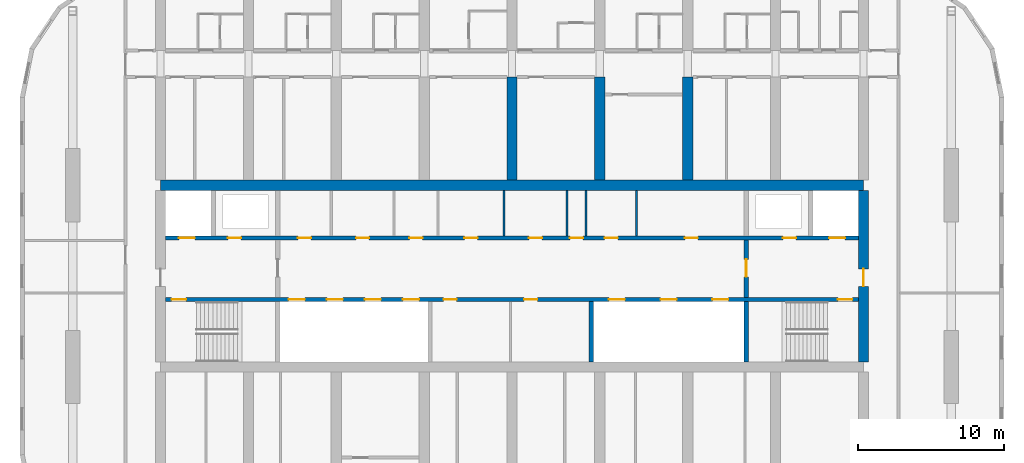
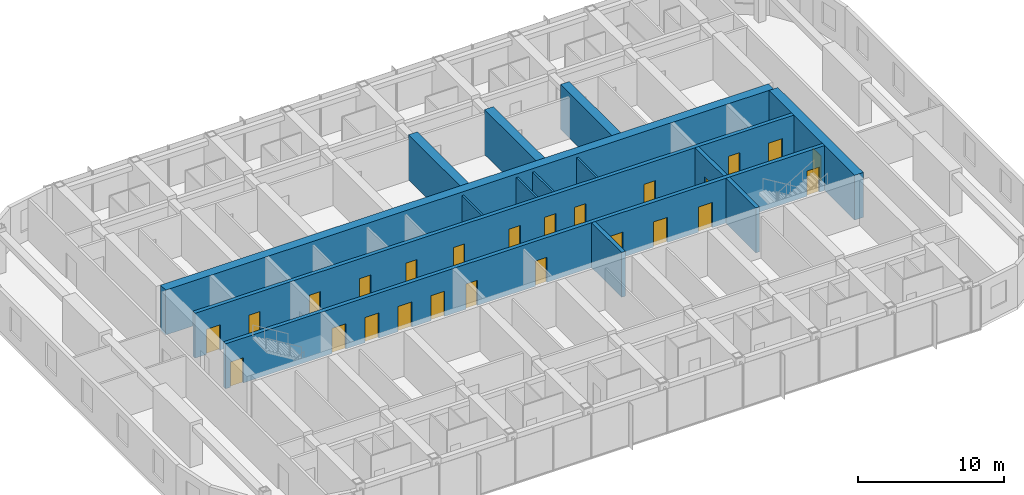
# One storey, part 14 of 23: 25 doors, 14 walls, 25 openings.
"""IFC4 building model written with IfcOpenShell, lengths in metres."""

from ifc_helpers import new_model, si_unit, direction, frame, frame_2d, origin, place, context, subcontext, project, spatial, rectangle, extrude, material, layer, layer_set, type_object, element, fill, save


model = new_model("IFC4")

# Units and contexts
model_context = context("Model", 3, precision=1e-05, world=origin(), true_north=direction((0.0, 1.0)))
body_context = subcontext(model_context, "Body", "Model", "MODEL_VIEW")
ifc_project = project(units=[si_unit("LENGTHUNIT", "METRE"), si_unit("AREAUNIT", "SQUARE_METRE"), si_unit("VOLUMEUNIT", "CUBIC_METRE"), si_unit("PLANEANGLEUNIT", "RADIAN"), si_unit("MASSUNIT", "GRAM", prefix="KILO")], contexts=[model_context])

# Site, building, storey
site_placement = place(None, origin())
site = spatial("IfcSite", under=ifc_project, at=site_placement, CompositionType="ELEMENT")
building_placement = place(site_placement, origin())
building = spatial("IfcBuilding", under=site, at=building_placement, Name="Orbita Commons", CompositionType="ELEMENT")
storey_placement = place(building_placement, frame((0.0, 0.0, 254.050048828125)))
storey = spatial("IfcBuildingStorey", under=building, at=storey_placement, Name="L63", CompositionType="ELEMENT", Elevation=254.050048828125)

# Wall, openings, doors
ifc_material_1 = material(Name="Concrete C50/60", Category="concrete")
ifc_layer_1 = layer(ifc_material_1, 0.300048828125)
ifc_layer_set_1 = layer_set([ifc_layer_1], Name="Concrete C50/60")
wall_type_1 = type_object("IfcWallType", Name="Core inner wall 300 C50/60", PredefinedType="SHEAR", material=ifc_layer_set_1)
wall_1_placement = place(storey_placement, frame((18.35009765625, 30.39990234375, 0.0), z_axis=(0.0, 0.0, 1.0), x_axis=(1.0, 0.0, 0.0)))
wall_1 = element("IfcWall", 1, at=wall_1_placement, inside=storey, type_object=wall_type_1, Name="Lobby wall south L63", PredefinedType="SHEAR", context=body_context, shape_type="SweptSolid", body=[
    extrude(rectangle(XDim=47.2998046875, YDim=0.300048828125, at=frame_2d((23.64990234375, 0.0))), origin(), (0.0, 0.0, 1.0), 3.75),
])
opening_1_placement = place(wall_1_placement, frame((0.39990234375, 0.0, 0.0)))
opening_1 = element("IfcOpeningElement", 2, at=opening_1_placement, cuts=wall_1, Name="Opening D02", PredefinedType="OPENING", context=body_context, shape_type="SweptSolid", body=[
    extrude(rectangle(XDim=1.0, YDim=2.10009765625, at=frame_2d((0.5, 1.050048828125))), frame((0.0, 0.159912109375, 0.0), z_axis=(0.0, -1.0, 0.0), x_axis=(1.0, 0.0, 0.0)), (0.0, 0.0, 1.0), 0.320068359375),
])
opening_2_placement = place(wall_1_placement, frame((45.89990234375, 0.0, 0.0)))
opening_2 = element("IfcOpeningElement", 3, at=opening_2_placement, cuts=wall_1, Name="Opening D02", PredefinedType="OPENING", context=body_context, shape_type="SweptSolid", body=[
    extrude(rectangle(XDim=1.0, YDim=2.10009765625, at=frame_2d((0.5, 1.050048828125))), frame((0.0, 0.159912109375, 0.0), z_axis=(0.0, -1.0, 0.0), x_axis=(1.0, 0.0, 0.0)), (0.0, 0.0, 1.0), 0.320068359375),
])
opening_3_placement = place(wall_1_placement, frame((8.39990234375, 0.0, 0.0)))
opening_3 = element("IfcOpeningElement", 4, at=opening_3_placement, cuts=wall_1, Name="Opening LD02", PredefinedType="OPENING", context=body_context, shape_type="SweptSolid", body=[
    extrude(rectangle(XDim=1.10009765625, YDim=2.10009765625, at=frame_2d((0.550048828125, 1.050048828125))), frame((0.0, 0.159912109375, 0.0), z_axis=(0.0, -1.0, 0.0), x_axis=(1.0, 0.0, 0.0)), (0.0, 0.0, 1.0), 0.320068359375),
])
opening_4_placement = place(wall_1_placement, frame((11.0, 0.0, 0.0)))
opening_4 = element("IfcOpeningElement", 5, at=opening_4_placement, cuts=wall_1, Name="Opening LD02", PredefinedType="OPENING", context=body_context, shape_type="SweptSolid", body=[
    extrude(rectangle(XDim=1.10009765625, YDim=2.10009765625, at=frame_2d((0.550048828125, 1.050048828125))), frame((0.0, 0.159912109375, 0.0), z_axis=(0.0, -1.0, 0.0), x_axis=(1.0, 0.0, 0.0)), (0.0, 0.0, 1.0), 0.320068359375),
])
opening_5_placement = place(wall_1_placement, frame((13.60009765625, 0.0, 0.0)))
opening_5 = element("IfcOpeningElement", 6, at=opening_5_placement, cuts=wall_1, Name="Opening LD02", PredefinedType="OPENING", context=body_context, shape_type="SweptSolid", body=[
    extrude(rectangle(XDim=1.10009765625, YDim=2.10009765625, at=frame_2d((0.550048828125, 1.050048828125))), frame((0.0, 0.159912109375, 0.0), z_axis=(0.0, -1.0, 0.0), x_axis=(1.0, 0.0, 0.0)), (0.0, 0.0, 1.0), 0.320068359375),
])
opening_6_placement = place(wall_1_placement, frame((16.199951171875, 0.0, 0.0)))
opening_6 = element("IfcOpeningElement", 7, at=opening_6_placement, cuts=wall_1, Name="Opening LD02", PredefinedType="OPENING", context=body_context, shape_type="SweptSolid", body=[
    extrude(rectangle(XDim=1.10009765625, YDim=2.10009765625, at=frame_2d((0.550048828125, 1.050048828125))), frame((0.0, 0.159912109375, 0.0), z_axis=(0.0, -1.0, 0.0), x_axis=(1.0, 0.0, 0.0)), (0.0, 0.0, 1.0), 0.320068359375),
])
opening_7_placement = place(wall_1_placement, frame((18.97509765625, 0.0, 0.0)))
opening_7 = element("IfcOpeningElement", 8, at=opening_7_placement, cuts=wall_1, Name="Opening D05", PredefinedType="OPENING", context=body_context, shape_type="SweptSolid", body=[
    extrude(rectangle(XDim=0.89990234375, YDim=2.10009765625, at=frame_2d((0.449951171875, 1.050048828125))), frame((0.0, 0.159912109375, 0.0), z_axis=(0.0, -1.0, 0.0), x_axis=(1.0, 0.0, 0.0)), (0.0, 0.0, 1.0), 0.320068359375),
])
opening_8_placement = place(wall_1_placement, frame((24.47509765625, 0.0, 0.0)))
opening_8 = element("IfcOpeningElement", 9, at=opening_8_placement, cuts=wall_1, Name="Opening D05", PredefinedType="OPENING", context=body_context, shape_type="SweptSolid", body=[
    extrude(rectangle(XDim=0.89990234375, YDim=2.10009765625, at=frame_2d((0.449951171875, 1.050048828125))), frame((0.0, 0.159912109375, 0.0), z_axis=(0.0, -1.0, 0.0), x_axis=(1.0, 0.0, 0.0)), (0.0, 0.0, 1.0), 0.320068359375),
])
opening_9_placement = place(wall_1_placement, frame((30.2666015625, 0.0, 0.0)))
opening_9 = element("IfcOpeningElement", 10, at=opening_9_placement, cuts=wall_1, Name="Opening LD02", PredefinedType="OPENING", context=body_context, shape_type="SweptSolid", body=[
    extrude(rectangle(XDim=1.10009765625, YDim=2.10009765625, at=frame_2d((0.550048828125, 1.050048828125))), frame((0.0, 0.159912109375, 0.0), z_axis=(0.0, -1.0, 0.0), x_axis=(1.0, 0.0, 0.0)), (0.0, 0.0, 1.0), 0.320068359375),
])
opening_10_placement = place(wall_1_placement, frame((33.800048828125, 0.0, 0.0)))
opening_10 = element("IfcOpeningElement", 11, at=opening_10_placement, cuts=wall_1, Name="Opening LD02", PredefinedType="OPENING", context=body_context, shape_type="SweptSolid", body=[
    extrude(rectangle(XDim=1.10009765625, YDim=2.10009765625, at=frame_2d((0.550048828125, 1.050048828125))), frame((0.0, 0.159912109375, 0.0), z_axis=(0.0, -1.0, 0.0), x_axis=(1.0, 0.0, 0.0)), (0.0, 0.0, 1.0), 0.320068359375),
])
opening_11_placement = place(wall_1_placement, frame((37.333251953125, 0.0, 0.0)))
opening_11 = element("IfcOpeningElement", 12, at=opening_11_placement, cuts=wall_1, Name="Opening LD02", PredefinedType="OPENING", context=body_context, shape_type="SweptSolid", body=[
    extrude(rectangle(XDim=1.10009765625, YDim=2.10009765625, at=frame_2d((0.550048828125, 1.050048828125))), frame((0.0, 0.159912109375, 0.0), z_axis=(0.0, -1.0, 0.0), x_axis=(1.0, 0.0, 0.0)), (0.0, 0.0, 1.0), 0.320068359375),
])
ifc_material_2 = material(Name="Steel-faced fire door leaf", Category="steel")
door_type_1 = type_object("IfcDoorType", Name="Fire door 90 min 1000x2100", OperationType="SINGLE_SWING_LEFT", PredefinedType="DOOR", material=ifc_material_2)
door_1_placement = place(opening_1_placement, origin())
door_1 = element("IfcDoor", 13, at=door_1_placement, inside=storey, type_object=door_type_1, Name="Stair S1 door", OperationType="SINGLE_SWING_LEFT", OverallHeight=2.10009765625, OverallWidth=1.0, PredefinedType="DOOR", context=body_context, shape_type="SweptSolid", body=[
    extrude(rectangle(XDim=1.0, YDim=2.10009765625, at=frame_2d((0.5, 1.050048828125))), frame((0.0, 0.02490234375, 0.0), z_axis=(0.0, -1.0, 0.0), x_axis=(1.0, 0.0, 0.0)), (0.0, 0.0, 1.0), 0.050048828125),
])
fill(opening_1, door_1)
door_2_placement = place(opening_2_placement, origin())
door_2 = element("IfcDoor", 14, at=door_2_placement, inside=storey, type_object=door_type_1, Name="Stair S2 door", OperationType="SINGLE_SWING_LEFT", OverallHeight=2.10009765625, OverallWidth=1.0, PredefinedType="DOOR", context=body_context, shape_type="SweptSolid", body=[
    extrude(rectangle(XDim=1.0, YDim=2.10009765625, at=frame_2d((0.5, 1.050048828125))), frame((0.0, 0.02490234375, 0.0), z_axis=(0.0, -1.0, 0.0), x_axis=(1.0, 0.0, 0.0)), (0.0, 0.0, 1.0), 0.050048828125),
])
fill(opening_2, door_2)
ifc_material_3 = material(Name="Steel-faced fire door leaf", Category="steel")
door_type_2 = type_object("IfcDoorType", Name="Lift landing door 1100x2100", OperationType="DOUBLE_DOOR_SLIDING", PredefinedType="DOOR", material=ifc_material_3)
door_3_placement = place(opening_3_placement, origin())
door_3 = element("IfcDoor", 15, at=door_3_placement, inside=storey, type_object=door_type_2, Name="Lift P41 landing door", OperationType="DOUBLE_DOOR_SLIDING", OverallHeight=2.10009765625, OverallWidth=1.10009765625, PredefinedType="DOOR", context=body_context, shape_type="SweptSolid", body=[
    extrude(rectangle(XDim=1.10009765625, YDim=2.10009765625, at=frame_2d((0.550048828125, 1.050048828125))), frame((0.0, 0.02490234375, 0.0), z_axis=(0.0, -1.0, 0.0), x_axis=(1.0, 0.0, 0.0)), (0.0, 0.0, 1.0), 0.050048828125),
])
fill(opening_3, door_3)
door_4_placement = place(opening_4_placement, origin())
door_4 = element("IfcDoor", 16, at=door_4_placement, inside=storey, type_object=door_type_2, Name="Lift P42 landing door", OperationType="DOUBLE_DOOR_SLIDING", OverallHeight=2.10009765625, OverallWidth=1.10009765625, PredefinedType="DOOR", context=body_context, shape_type="SweptSolid", body=[
    extrude(rectangle(XDim=1.10009765625, YDim=2.10009765625, at=frame_2d((0.550048828125, 1.050048828125))), frame((0.0, 0.02490234375, 0.0), z_axis=(0.0, -1.0, 0.0), x_axis=(1.0, 0.0, 0.0)), (0.0, 0.0, 1.0), 0.050048828125),
])
fill(opening_4, door_4)
door_5_placement = place(opening_5_placement, origin())
door_5 = element("IfcDoor", 17, at=door_5_placement, inside=storey, type_object=door_type_2, Name="Lift P43 landing door", OperationType="DOUBLE_DOOR_SLIDING", OverallHeight=2.10009765625, OverallWidth=1.10009765625, PredefinedType="DOOR", context=body_context, shape_type="SweptSolid", body=[
    extrude(rectangle(XDim=1.10009765625, YDim=2.10009765625, at=frame_2d((0.550048828125, 1.050048828125))), frame((0.0, 0.02490234375, 0.0), z_axis=(0.0, -1.0, 0.0), x_axis=(1.0, 0.0, 0.0)), (0.0, 0.0, 1.0), 0.050048828125),
])
fill(opening_5, door_5)
door_6_placement = place(opening_6_placement, origin())
door_6 = element("IfcDoor", 18, at=door_6_placement, inside=storey, type_object=door_type_2, Name="Lift P44 landing door", OperationType="DOUBLE_DOOR_SLIDING", OverallHeight=2.10009765625, OverallWidth=1.10009765625, PredefinedType="DOOR", context=body_context, shape_type="SweptSolid", body=[
    extrude(rectangle(XDim=1.10009765625, YDim=2.10009765625, at=frame_2d((0.550048828125, 1.050048828125))), frame((0.0, 0.02490234375, 0.0), z_axis=(0.0, -1.0, 0.0), x_axis=(1.0, 0.0, 0.0)), (0.0, 0.0, 1.0), 0.050048828125),
])
fill(opening_6, door_6)
door_7_placement = place(opening_9_placement, origin())
door_7 = element("IfcDoor", 19, at=door_7_placement, inside=storey, type_object=door_type_2, Name="Lift SV1 landing door", OperationType="DOUBLE_DOOR_SLIDING", OverallHeight=2.10009765625, OverallWidth=1.10009765625, PredefinedType="DOOR", context=body_context, shape_type="SweptSolid", body=[
    extrude(rectangle(XDim=1.10009765625, YDim=2.10009765625, at=frame_2d((0.550048828125, 1.050048828125))), frame((0.0, 0.02490234375, 0.0), z_axis=(0.0, -1.0, 0.0), x_axis=(1.0, 0.0, 0.0)), (0.0, 0.0, 1.0), 0.050048828125),
])
fill(opening_9, door_7)
door_8_placement = place(opening_10_placement, origin())
door_8 = element("IfcDoor", 20, at=door_8_placement, inside=storey, type_object=door_type_2, Name="Lift SV2 landing door", OperationType="DOUBLE_DOOR_SLIDING", OverallHeight=2.10009765625, OverallWidth=1.10009765625, PredefinedType="DOOR", context=body_context, shape_type="SweptSolid", body=[
    extrude(rectangle(XDim=1.10009765625, YDim=2.10009765625, at=frame_2d((0.550048828125, 1.050048828125))), frame((0.0, 0.02490234375, 0.0), z_axis=(0.0, -1.0, 0.0), x_axis=(1.0, 0.0, 0.0)), (0.0, 0.0, 1.0), 0.050048828125),
])
fill(opening_10, door_8)
door_9_placement = place(opening_11_placement, origin())
door_9 = element("IfcDoor", 21, at=door_9_placement, inside=storey, type_object=door_type_2, Name="Lift SV3 landing door", OperationType="DOUBLE_DOOR_SLIDING", OverallHeight=2.10009765625, OverallWidth=1.10009765625, PredefinedType="DOOR", context=body_context, shape_type="SweptSolid", body=[
    extrude(rectangle(XDim=1.10009765625, YDim=2.10009765625, at=frame_2d((0.550048828125, 1.050048828125))), frame((0.0, 0.02490234375, 0.0), z_axis=(0.0, -1.0, 0.0), x_axis=(1.0, 0.0, 0.0)), (0.0, 0.0, 1.0), 0.050048828125),
])
fill(opening_11, door_9)
ifc_material_4 = material(Name="Steel-faced fire door leaf", Category="steel")
door_type_3 = type_object("IfcDoorType", Name="Service door 20 min 900x2100", OperationType="SINGLE_SWING_LEFT", PredefinedType="DOOR", material=ifc_material_4)
door_10_placement = place(opening_7_placement, origin())
door_10 = element("IfcDoor", 22, at=door_10_placement, inside=storey, type_object=door_type_3, Name="Residents' store door", OperationType="SINGLE_SWING_LEFT", OverallHeight=2.10009765625, OverallWidth=0.89990234375, PredefinedType="DOOR", context=body_context, shape_type="SweptSolid", body=[
    extrude(rectangle(XDim=0.89990234375, YDim=2.10009765625, at=frame_2d((0.449951171875, 1.050048828125))), frame((0.0, 0.02490234375, 0.0), z_axis=(0.0, -1.0, 0.0), x_axis=(1.0, 0.0, 0.0)), (0.0, 0.0, 1.0), 0.050048828125),
])
fill(opening_7, door_10)
door_11_placement = place(opening_8_placement, origin())
door_11 = element("IfcDoor", 23, at=door_11_placement, inside=storey, type_object=door_type_3, Name="IT room door", OperationType="SINGLE_SWING_LEFT", OverallHeight=2.10009765625, OverallWidth=0.89990234375, PredefinedType="DOOR", context=body_context, shape_type="SweptSolid", body=[
    extrude(rectangle(XDim=0.89990234375, YDim=2.10009765625, at=frame_2d((0.449951171875, 1.050048828125))), frame((0.0, 0.02490234375, 0.0), z_axis=(0.0, -1.0, 0.0), x_axis=(1.0, 0.0, 0.0)), (0.0, 0.0, 1.0), 0.050048828125),
])
fill(opening_8, door_11)

wall_2_placement = place(storey_placement, frame((18.35009765625, 34.60009765625, 0.0), z_axis=(0.0, 0.0, 1.0), x_axis=(1.0, 0.0, 0.0)))
wall_2 = element("IfcWall", 24, at=wall_2_placement, inside=storey, type_object=wall_type_1, Name="Lobby wall north L63", PredefinedType="SHEAR", context=body_context, shape_type="SweptSolid", body=[
    extrude(rectangle(XDim=47.2998046875, YDim=0.300048828125, at=frame_2d((23.64990234375, 0.0))), origin(), (0.0, 0.0, 1.0), 3.75),
])
opening_12_placement = place(wall_2_placement, frame((0.89990234375, 0.0, 0.0)))
opening_12 = element("IfcOpeningElement", 25, at=opening_12_placement, cuts=wall_2, Name="Opening LD01", PredefinedType="OPENING", context=body_context, shape_type="SweptSolid", body=[
    extrude(rectangle(XDim=1.10009765625, YDim=2.10009765625, at=frame_2d((0.550048828125, 1.050048828125))), frame((0.0, 0.159912109375, 0.0), z_axis=(0.0, -1.0, 0.0), x_axis=(1.0, 0.0, 0.0)), (0.0, 0.0, 1.0), 0.320068359375),
])
opening_13_placement = place(wall_2_placement, frame((45.300048828125, 0.0, 0.0)))
opening_13 = element("IfcOpeningElement", 26, at=opening_13_placement, cuts=wall_2, Name="Opening LD01", PredefinedType="OPENING", context=body_context, shape_type="SweptSolid", body=[
    extrude(rectangle(XDim=1.10009765625, YDim=2.10009765625, at=frame_2d((0.550048828125, 1.050048828125))), frame((0.0, 0.159912109375, 0.0), z_axis=(0.0, -1.0, 0.0), x_axis=(1.0, 0.0, 0.0)), (0.0, 0.0, 1.0), 0.320068359375),
])
opening_14_placement = place(wall_2_placement, frame((4.25, 0.0, 0.0)))
opening_14 = element("IfcOpeningElement", 27, at=opening_14_placement, cuts=wall_2, Name="Opening D03", PredefinedType="OPENING", context=body_context, shape_type="SweptSolid", body=[
    extrude(rectangle(XDim=0.89990234375, YDim=2.10009765625, at=frame_2d((0.449951171875, 1.050048828125))), frame((0.0, 0.159912109375, 0.0), z_axis=(0.0, -1.0, 0.0), x_axis=(1.0, 0.0, 0.0)), (0.0, 0.0, 1.0), 0.320068359375),
])
opening_15_placement = place(wall_2_placement, frame((42.14990234375, 0.0, 0.0)))
opening_15 = element("IfcOpeningElement", 28, at=opening_15_placement, cuts=wall_2, Name="Opening D03", PredefinedType="OPENING", context=body_context, shape_type="SweptSolid", body=[
    extrude(rectangle(XDim=0.89990234375, YDim=2.10009765625, at=frame_2d((0.449951171875, 1.050048828125))), frame((0.0, 0.159912109375, 0.0), z_axis=(0.0, -1.0, 0.0), x_axis=(1.0, 0.0, 0.0)), (0.0, 0.0, 1.0), 0.320068359375),
])
opening_16_placement = place(wall_2_placement, frame((9.025390625, 0.0, 0.0)))
opening_16 = element("IfcOpeningElement", 29, at=opening_16_placement, cuts=wall_2, Name="Opening D05", PredefinedType="OPENING", context=body_context, shape_type="SweptSolid", body=[
    extrude(rectangle(XDim=0.89990234375, YDim=2.10009765625, at=frame_2d((0.449951171875, 1.050048828125))), frame((0.0, 0.159912109375, 0.0), z_axis=(0.0, -1.0, 0.0), x_axis=(1.0, 0.0, 0.0)), (0.0, 0.0, 1.0), 0.320068359375),
])
opening_17_placement = place(wall_2_placement, frame((12.998779296875, 0.0, 0.0)))
opening_17 = element("IfcOpeningElement", 30, at=opening_17_placement, cuts=wall_2, Name="Opening D03", PredefinedType="OPENING", context=body_context, shape_type="SweptSolid", body=[
    extrude(rectangle(XDim=0.89990234375, YDim=2.10009765625, at=frame_2d((0.449951171875, 1.050048828125))), frame((0.0, 0.159912109375, 0.0), z_axis=(0.0, -1.0, 0.0), x_axis=(1.0, 0.0, 0.0)), (0.0, 0.0, 1.0), 0.320068359375),
])
opening_18_placement = place(wall_2_placement, frame((16.646240234375, 0.0, 0.0)))
opening_18 = element("IfcOpeningElement", 31, at=opening_18_placement, cuts=wall_2, Name="Opening D03", PredefinedType="OPENING", context=body_context, shape_type="SweptSolid", body=[
    extrude(rectangle(XDim=0.89990234375, YDim=2.10009765625, at=frame_2d((0.449951171875, 1.050048828125))), frame((0.0, 0.159912109375, 0.0), z_axis=(0.0, -1.0, 0.0), x_axis=(1.0, 0.0, 0.0)), (0.0, 0.0, 1.0), 0.320068359375),
])
opening_19_placement = place(wall_2_placement, frame((20.40478515625, 0.0, 0.0)))
opening_19 = element("IfcOpeningElement", 32, at=opening_19_placement, cuts=wall_2, Name="Opening D05", PredefinedType="OPENING", context=body_context, shape_type="SweptSolid", body=[
    extrude(rectangle(XDim=0.89990234375, YDim=2.10009765625, at=frame_2d((0.449951171875, 1.050048828125))), frame((0.0, 0.159912109375, 0.0), z_axis=(0.0, -1.0, 0.0), x_axis=(1.0, 0.0, 0.0)), (0.0, 0.0, 1.0), 0.320068359375),
])
opening_20_placement = place(wall_2_placement, frame((24.810791015625, 0.0, 0.0)))
opening_20 = element("IfcOpeningElement", 33, at=opening_20_placement, cuts=wall_2, Name="Opening D03", PredefinedType="OPENING", context=body_context, shape_type="SweptSolid", body=[
    extrude(rectangle(XDim=0.89990234375, YDim=2.10009765625, at=frame_2d((0.449951171875, 1.050048828125))), frame((0.0, 0.159912109375, 0.0), z_axis=(0.0, -1.0, 0.0), x_axis=(1.0, 0.0, 0.0)), (0.0, 0.0, 1.0), 0.320068359375),
])
opening_21_placement = place(wall_2_placement, frame((27.6083984375, 0.0, 0.0)))
opening_21 = element("IfcOpeningElement", 34, at=opening_21_placement, cuts=wall_2, Name="Opening D03", PredefinedType="OPENING", context=body_context, shape_type="SweptSolid", body=[
    extrude(rectangle(XDim=0.89990234375, YDim=2.10009765625, at=frame_2d((0.449951171875, 1.050048828125))), frame((0.0, 0.159912109375, 0.0), z_axis=(0.0, -1.0, 0.0), x_axis=(1.0, 0.0, 0.0)), (0.0, 0.0, 1.0), 0.320068359375),
])
opening_22_placement = place(wall_2_placement, frame((29.980712890625, 0.0, 0.0)))
opening_22 = element("IfcOpeningElement", 35, at=opening_22_placement, cuts=wall_2, Name="Opening D05", PredefinedType="OPENING", context=body_context, shape_type="SweptSolid", body=[
    extrude(rectangle(XDim=0.89990234375, YDim=2.10009765625, at=frame_2d((0.449951171875, 1.050048828125))), frame((0.0, 0.159912109375, 0.0), z_axis=(0.0, -1.0, 0.0), x_axis=(1.0, 0.0, 0.0)), (0.0, 0.0, 1.0), 0.320068359375),
])
opening_23_placement = place(wall_2_placement, frame((35.451416015625, 0.0, 0.0)))
opening_23 = element("IfcOpeningElement", 36, at=opening_23_placement, cuts=wall_2, Name="Opening D03", PredefinedType="OPENING", context=body_context, shape_type="SweptSolid", body=[
    extrude(rectangle(XDim=0.89990234375, YDim=2.10009765625, at=frame_2d((0.449951171875, 1.050048828125))), frame((0.0, 0.159912109375, 0.0), z_axis=(0.0, -1.0, 0.0), x_axis=(1.0, 0.0, 0.0)), (0.0, 0.0, 1.0), 0.320068359375),
])
ifc_material_5 = material(Name="Steel-faced fire door leaf", Category="steel")
door_type_4 = type_object("IfcDoorType", Name="Firefighting lift landing door 1100x2100", OperationType="DOUBLE_DOOR_SLIDING", PredefinedType="DOOR", material=ifc_material_5)
door_12_placement = place(opening_12_placement, origin())
door_12 = element("IfcDoor", 37, at=door_12_placement, inside=storey, type_object=door_type_4, Name="Firefighting lift FL1 landing door", OperationType="DOUBLE_DOOR_SLIDING", OverallHeight=2.10009765625, OverallWidth=1.10009765625, PredefinedType="DOOR", context=body_context, shape_type="SweptSolid", body=[
    extrude(rectangle(XDim=1.10009765625, YDim=2.10009765625, at=frame_2d((0.550048828125, 1.050048828125))), frame((0.0, 0.02490234375, 0.0), z_axis=(0.0, -1.0, 0.0), x_axis=(1.0, 0.0, 0.0)), (0.0, 0.0, 1.0), 0.050048828125),
])
fill(opening_12, door_12)
door_13_placement = place(opening_13_placement, origin())
door_13 = element("IfcDoor", 38, at=door_13_placement, inside=storey, type_object=door_type_4, Name="Firefighting lift FL2 landing door", OperationType="DOUBLE_DOOR_SLIDING", OverallHeight=2.10009765625, OverallWidth=1.10009765625, PredefinedType="DOOR", context=body_context, shape_type="SweptSolid", body=[
    extrude(rectangle(XDim=1.10009765625, YDim=2.10009765625, at=frame_2d((0.550048828125, 1.050048828125))), frame((0.0, 0.02490234375, 0.0), z_axis=(0.0, -1.0, 0.0), x_axis=(1.0, 0.0, 0.0)), (0.0, 0.0, 1.0), 0.050048828125),
])
fill(opening_13, door_13)
door_14_placement = place(opening_16_placement, origin())
door_14 = element("IfcDoor", 39, at=door_14_placement, inside=storey, type_object=door_type_3, Name="Staff WC door", OperationType="SINGLE_SWING_LEFT", OverallHeight=2.10009765625, OverallWidth=0.89990234375, PredefinedType="DOOR", context=body_context, shape_type="SweptSolid", body=[
    extrude(rectangle(XDim=0.89990234375, YDim=2.10009765625, at=frame_2d((0.449951171875, 1.050048828125))), frame((0.0, 0.02490234375, 0.0), z_axis=(0.0, -1.0, 0.0), x_axis=(1.0, 0.0, 0.0)), (0.0, 0.0, 1.0), 0.050048828125),
])
fill(opening_16, door_14)
door_15_placement = place(opening_19_placement, origin())
door_15 = element("IfcDoor", 40, at=door_15_placement, inside=storey, type_object=door_type_3, Name="Vending and ice room door", OperationType="SINGLE_SWING_LEFT", OverallHeight=2.10009765625, OverallWidth=0.89990234375, PredefinedType="DOOR", context=body_context, shape_type="SweptSolid", body=[
    extrude(rectangle(XDim=0.89990234375, YDim=2.10009765625, at=frame_2d((0.449951171875, 1.050048828125))), frame((0.0, 0.02490234375, 0.0), z_axis=(0.0, -1.0, 0.0), x_axis=(1.0, 0.0, 0.0)), (0.0, 0.0, 1.0), 0.050048828125),
])
fill(opening_19, door_15)
door_16_placement = place(opening_22_placement, origin())
door_16 = element("IfcDoor", 41, at=door_16_placement, inside=storey, type_object=door_type_3, Name="Accessible WC door", OperationType="SINGLE_SWING_LEFT", OverallHeight=2.10009765625, OverallWidth=0.89990234375, PredefinedType="DOOR", context=body_context, shape_type="SweptSolid", body=[
    extrude(rectangle(XDim=0.89990234375, YDim=2.10009765625, at=frame_2d((0.449951171875, 1.050048828125))), frame((0.0, 0.02490234375, 0.0), z_axis=(0.0, -1.0, 0.0), x_axis=(1.0, 0.0, 0.0)), (0.0, 0.0, 1.0), 0.050048828125),
])
fill(opening_22, door_16)
ifc_material_6 = material(Name="Steel-faced fire door leaf", Category="steel")
door_type_5 = type_object("IfcDoorType", Name="Shaft access door 90 min 900x2100", OperationType="SINGLE_SWING_LEFT", PredefinedType="DOOR", material=ifc_material_6)
door_17_placement = place(opening_14_placement, origin())
door_17 = element("IfcDoor", 42, at=door_17_placement, inside=storey, type_object=door_type_5, Name="Riser door west", OperationType="SINGLE_SWING_LEFT", OverallHeight=2.10009765625, OverallWidth=0.89990234375, PredefinedType="DOOR", context=body_context, shape_type="SweptSolid", body=[
    extrude(rectangle(XDim=0.89990234375, YDim=2.10009765625, at=frame_2d((0.449951171875, 1.050048828125))), frame((0.0, 0.02490234375, 0.0), z_axis=(0.0, -1.0, 0.0), x_axis=(1.0, 0.0, 0.0)), (0.0, 0.0, 1.0), 0.050048828125),
])
fill(opening_14, door_17)
door_18_placement = place(opening_15_placement, origin())
door_18 = element("IfcDoor", 43, at=door_18_placement, inside=storey, type_object=door_type_5, Name="Riser door east", OperationType="SINGLE_SWING_LEFT", OverallHeight=2.10009765625, OverallWidth=0.89990234375, PredefinedType="DOOR", context=body_context, shape_type="SweptSolid", body=[
    extrude(rectangle(XDim=0.89990234375, YDim=2.10009765625, at=frame_2d((0.449951171875, 1.050048828125))), frame((0.0, 0.02490234375, 0.0), z_axis=(0.0, -1.0, 0.0), x_axis=(1.0, 0.0, 0.0)), (0.0, 0.0, 1.0), 0.050048828125),
])
fill(opening_15, door_18)
door_19_placement = place(opening_17_placement, origin())
door_19 = element("IfcDoor", 44, at=door_19_placement, inside=storey, type_object=door_type_5, Name="Refuse chute room door", OperationType="SINGLE_SWING_LEFT", OverallHeight=2.10009765625, OverallWidth=0.89990234375, PredefinedType="DOOR", context=body_context, shape_type="SweptSolid", body=[
    extrude(rectangle(XDim=0.89990234375, YDim=2.10009765625, at=frame_2d((0.449951171875, 1.050048828125))), frame((0.0, 0.02490234375, 0.0), z_axis=(0.0, -1.0, 0.0), x_axis=(1.0, 0.0, 0.0)), (0.0, 0.0, 1.0), 0.050048828125),
])
fill(opening_17, door_19)
door_20_placement = place(opening_18_placement, origin())
door_20 = element("IfcDoor", 45, at=door_20_placement, inside=storey, type_object=door_type_5, Name="Electrical riser room door", OperationType="SINGLE_SWING_LEFT", OverallHeight=2.10009765625, OverallWidth=0.89990234375, PredefinedType="DOOR", context=body_context, shape_type="SweptSolid", body=[
    extrude(rectangle(XDim=0.89990234375, YDim=2.10009765625, at=frame_2d((0.449951171875, 1.050048828125))), frame((0.0, 0.02490234375, 0.0), z_axis=(0.0, -1.0, 0.0), x_axis=(1.0, 0.0, 0.0)), (0.0, 0.0, 1.0), 0.050048828125),
])
fill(opening_18, door_20)
door_21_placement = place(opening_20_placement, origin())
door_21 = element("IfcDoor", 46, at=door_21_placement, inside=storey, type_object=door_type_5, Name="Communications room door", OperationType="SINGLE_SWING_LEFT", OverallHeight=2.10009765625, OverallWidth=0.89990234375, PredefinedType="DOOR", context=body_context, shape_type="SweptSolid", body=[
    extrude(rectangle(XDim=0.89990234375, YDim=2.10009765625, at=frame_2d((0.449951171875, 1.050048828125))), frame((0.0, 0.02490234375, 0.0), z_axis=(0.0, -1.0, 0.0), x_axis=(1.0, 0.0, 0.0)), (0.0, 0.0, 1.0), 0.050048828125),
])
fill(opening_20, door_21)
door_22_placement = place(opening_21_placement, origin())
door_22 = element("IfcDoor", 47, at=door_22_placement, inside=storey, type_object=door_type_5, Name="Stair pressurisation duct door", OperationType="SINGLE_SWING_LEFT", OverallHeight=2.10009765625, OverallWidth=0.89990234375, PredefinedType="DOOR", context=body_context, shape_type="SweptSolid", body=[
    extrude(rectangle(XDim=0.89990234375, YDim=2.10009765625, at=frame_2d((0.449951171875, 1.050048828125))), frame((0.0, 0.02490234375, 0.0), z_axis=(0.0, -1.0, 0.0), x_axis=(1.0, 0.0, 0.0)), (0.0, 0.0, 1.0), 0.050048828125),
])
fill(opening_21, door_22)
door_23_placement = place(opening_23_placement, origin())
door_23 = element("IfcDoor", 48, at=door_23_placement, inside=storey, type_object=door_type_5, Name="Linen and housekeeping store door", OperationType="SINGLE_SWING_LEFT", OverallHeight=2.10009765625, OverallWidth=0.89990234375, PredefinedType="DOOR", context=body_context, shape_type="SweptSolid", body=[
    extrude(rectangle(XDim=0.89990234375, YDim=2.10009765625, at=frame_2d((0.449951171875, 1.050048828125))), frame((0.0, 0.02490234375, 0.0), z_axis=(0.0, -1.0, 0.0), x_axis=(1.0, 0.0, 0.0)), (0.0, 0.0, 1.0), 0.050048828125),
])
fill(opening_23, door_23)

# Wall
wall_3_placement = place(storey_placement, frame((58.0, 26.14990234375, 0.0), z_axis=(0.0, 0.0, 1.0), x_axis=(0.0, 1.0, 0.0)))
element("IfcWall", 49, at=wall_3_placement, inside=storey, type_object=wall_type_1, Name="Stair S2 wall L63", PredefinedType="SHEAR", context=body_context, shape_type="SweptSolid", body=[
    extrude(rectangle(XDim=4.10009765625, YDim=0.300048828125, at=frame_2d((2.050048828125, 0.0))), origin(), (0.0, 0.0, 1.0), 3.75),
])

# Wall, opening, door
wall_4_placement = place(storey_placement, frame((58.0, 30.550048828125, 0.0), z_axis=(0.0, 0.0, 1.0), x_axis=(0.0, 1.0, 0.0)))
wall_4 = element("IfcWall", 50, at=wall_4_placement, inside=storey, type_object=wall_type_1, Name="Firefighting lobby wall east L63", PredefinedType="SHEAR", context=body_context, shape_type="SweptSolid", body=[
    extrude(rectangle(XDim=3.89990234375, YDim=0.300048828125, at=frame_2d((1.949951171875, 0.0))), origin(), (0.0, 0.0, 1.0), 3.75),
])
opening_24_placement = place(wall_4_placement, frame((1.39990234375, 0.0, 0.0)))
opening_24 = element("IfcOpeningElement", 51, at=opening_24_placement, cuts=wall_4, Name="Opening D04", PredefinedType="OPENING", context=body_context, shape_type="SweptSolid", body=[
    extrude(rectangle(XDim=1.199951171875, YDim=2.10009765625, at=frame_2d((0.60009765625, 1.050048828125))), frame((0.0, 0.159912109375, 0.0), z_axis=(0.0, -1.0, 0.0), x_axis=(1.0, 0.0, 0.0)), (0.0, 0.0, 1.0), 0.320068359375),
])
ifc_material_7 = material(Name="Steel-faced fire door leaf", Category="steel")
door_type_6 = type_object("IfcDoorType", Name="Service door 20 min 1200x2100", OperationType="SINGLE_SWING_LEFT", PredefinedType="DOOR", material=ifc_material_7)
door_24_placement = place(opening_24_placement, origin())
door_24 = element("IfcDoor", 52, at=door_24_placement, inside=storey, type_object=door_type_6, Name="Lift lobby door east", OperationType="SINGLE_SWING_LEFT", OverallHeight=2.10009765625, OverallWidth=1.199951171875, PredefinedType="DOOR", context=body_context, shape_type="SweptSolid", body=[
    extrude(rectangle(XDim=1.199951171875, YDim=2.10009765625, at=frame_2d((0.60009765625, 1.050048828125))), frame((0.0, 0.02490234375, 0.0), z_axis=(0.0, -1.0, 0.0), x_axis=(1.0, 0.0, 0.0)), (0.0, 0.0, 1.0), 0.050048828125),
])
fill(opening_24, door_24)

# Walls
wall_5_placement = place(storey_placement, frame((47.39990234375, 26.14990234375, 0.0), z_axis=(0.0, 0.0, 1.0), x_axis=(0.0, 1.0, 0.0)))
element("IfcWall", 53, at=wall_5_placement, inside=storey, type_object=wall_type_1, Name="Hoistway division wall L63", PredefinedType="SHEAR", context=body_context, shape_type="SweptSolid", body=[
    extrude(rectangle(XDim=4.10009765625, YDim=0.300048828125, at=frame_2d((2.050048828125, 0.0))), origin(), (0.0, 0.0, 1.0), 3.75),
])
ifc_material_8 = material(Name="Concrete blockwork", Category="masonry")
ifc_layer_2 = layer(ifc_material_8, 0.14990234375)
ifc_layer_set_2 = layer_set([ifc_layer_2], Name="Concrete blockwork")
wall_type_2 = type_object("IfcWallType", Name="Core partition 150 blockwork", PredefinedType="SOLIDWALL", material=ifc_layer_set_2)
for number, where, z_axis, x_axis, name in (
    (54, (41.463134765625, 34.75, 0.0), (0.0, 0.0, 1.0), (0.0, 1.0, 0.0), "Core partition 150 blockwork L63"),
    (55, (45.75830078125, 34.75, 0.0), (0.0, 0.0, 1.0), (0.0, 1.0, 0.0), "Core partition 150 blockwork L63"),
    (56, (47.058349609375, 34.75, 0.0), (0.0, 0.0, 1.0), (0.0, 1.0, 0.0), "Core partition 150 blockwork L63"),
    (57, (50.5029296875, 34.75, 0.0), (0.0, 0.0, 1.0), (0.0, 1.0, 0.0), "Core partition 150 blockwork L63"),
):
    element("IfcWall", number, at=place(storey_placement, frame(where, z_axis=z_axis, x_axis=x_axis)), inside=storey, type_object=wall_type_2, Name=name, PredefinedType="SOLIDWALL", context=body_context, shape_type="SweptSolid", body=[
        extrude(rectangle(XDim=3.10009765625, YDim=0.14990234375, at=frame_2d((1.550048828125, 0.0))), origin(), (0.0, 0.0, 1.0), 3.449951171875),
    ])
ifc_material_9 = material(Name="Concrete C50/60", Category="concrete")
ifc_layer_3 = layer(ifc_material_9, 0.699951171875)
ifc_layer_set_3 = layer_set([ifc_layer_3], Name="Concrete C50/60")
wall_type_3 = type_object("IfcWallType", Name="Core wall 700 C50/60", PredefinedType="SHEAR", material=ifc_layer_set_3)
wall_6_placement = place(storey_placement, frame((18.0, 38.199951171875, 0.0), z_axis=(0.0, 0.0, 1.0), x_axis=(1.0, 0.0, 0.0)))
element("IfcWall", 58, at=wall_6_placement, inside=storey, type_object=wall_type_3, Name="Core spine wall north L63", PredefinedType="SHEAR", context=body_context, shape_type="SweptSolid", body=[
    extrude(rectangle(XDim=48.0, YDim=0.699951171875, at=frame_2d((24.0, 0.0))), origin(), (0.0, 0.0, 1.0), 3.75),
])

# Wall, opening, door
wall_7_placement = place(storey_placement, frame((66.0, 26.14990234375, 0.0), z_axis=(0.0, 0.0, 1.0), x_axis=(0.0, 1.0, 0.0)))
wall_7 = element("IfcWall", 59, at=wall_7_placement, inside=storey, type_object=wall_type_3, Name="Core end wall east L63", PredefinedType="SHEAR", context=body_context, shape_type="SweptSolid", body=[
    extrude(rectangle(XDim=11.7001953125, YDim=0.699951171875, at=frame_2d((5.85009765625, 0.0))), origin(), (0.0, 0.0, 1.0), 3.75),
])
opening_25_placement = place(wall_7_placement, frame((5.14990234375, 0.0, 0.0)))
opening_25 = element("IfcOpeningElement", 60, at=opening_25_placement, cuts=wall_7, Name="Opening D01", PredefinedType="OPENING", context=body_context, shape_type="SweptSolid", body=[
    extrude(rectangle(XDim=1.199951171875, YDim=2.10009765625, at=frame_2d((0.60009765625, 1.050048828125))), frame((0.0, 0.35986328125, 0.0), z_axis=(0.0, -1.0, 0.0), x_axis=(1.0, 0.0, 0.0)), (0.0, 0.0, 1.0), 0.719970703125),
])
ifc_material_10 = material(Name="Steel-faced fire door leaf", Category="steel")
door_type_7 = type_object("IfcDoorType", Name="Fire door 90 min 1200x2100", OperationType="SINGLE_SWING_LEFT", PredefinedType="DOOR", material=ifc_material_10)
door_25_placement = place(opening_25_placement, origin())
door_25 = element("IfcDoor", 61, at=door_25_placement, inside=storey, type_object=door_type_7, Name="Firefighting lobby east door", OperationType="SINGLE_SWING_LEFT", OverallHeight=2.10009765625, OverallWidth=1.199951171875, PredefinedType="DOOR", context=body_context, shape_type="SweptSolid", body=[
    extrude(rectangle(XDim=1.199951171875, YDim=2.10009765625, at=frame_2d((0.60009765625, 1.050048828125))), frame((0.0, 0.02490234375, 0.0), z_axis=(0.0, -1.0, 0.0), x_axis=(1.0, 0.0, 0.0)), (0.0, 0.0, 1.0), 0.050048828125),
])
fill(opening_25, door_25)

# Walls
ifc_material_11 = material(Name="Concrete C50/60", Category="concrete")
ifc_layer_4 = layer(ifc_material_11, 0.699951171875)
ifc_layer_set_4 = layer_set([ifc_layer_4], Name="Concrete C50/60")
wall_type_4 = type_object("IfcWallType", Name="Cross wall 700 C50/60", PredefinedType="SHEAR", material=ifc_layer_set_4)
for number, where, z_axis, x_axis, name in (
    (62, (42.0, 38.550048828125, 0.0), (0.0, 0.0, 1.0), (0.0, 1.0, 0.0), "Cross wall 8 north inner L63"),
    (63, (48.0, 38.550048828125, 0.0), (0.0, 0.0, 1.0), (0.0, 1.0, 0.0), "Cross wall 9 north inner L63"),
    (64, (54.0, 38.550048828125, 0.0), (0.0, 0.0, 1.0), (0.0, 1.0, 0.0), "Cross wall 10 north inner L63"),
):
    element("IfcWall", number, at=place(storey_placement, frame(where, z_axis=z_axis, x_axis=x_axis)), inside=storey, type_object=wall_type_4, Name=name, PredefinedType="SHEAR", context=body_context, shape_type="SweptSolid", body=[
        extrude(rectangle(XDim=7.050048828125, YDim=0.699951171875, at=frame_2d((3.52490234375, 0.0))), origin(), (0.0, 0.0, 1.0), 3.75),
    ])

save(model, "model.ifc")
